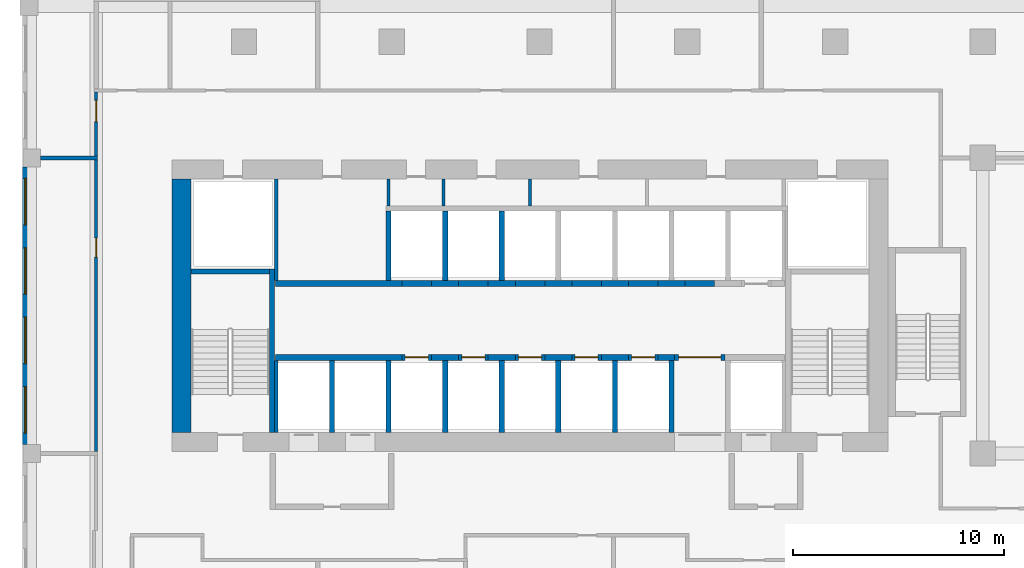
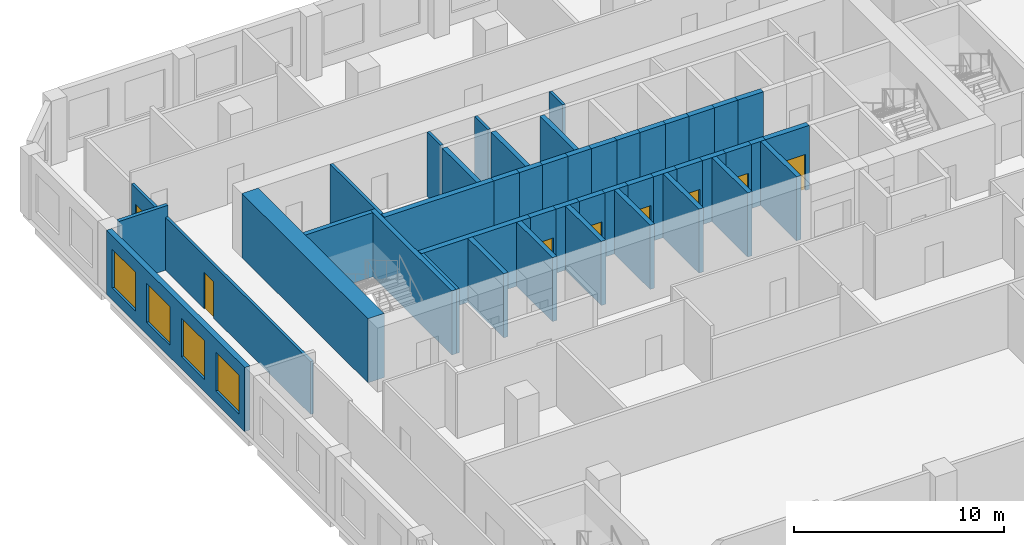
# One storey, part 15 of 27: 46 walls, 8 doors, 4 windows, 12 openings.
"""IFC4 building model written with IfcOpenShell, lengths in metres."""

import ifcopenshell
import ifcopenshell.guid

model = None  # the IFC model being written
_history = None  # IfcOwnerHistory: only IFC2X3 demands one
_inside = {}  # id of a spatial element -> (the spatial element, [elements in it])
_under = {}  # id of a project, library or spatial element -> (it, [spatial elements below it])
_declared = {}  # id of a project -> (the project, [libraries it declares])
_typed = {}  # id of a type object -> (the type object, [elements of that type])
_made_of = {}  # id of a material, layer set ... -> (it, [elements and type objects made of it])


def new_model(schema):
    """Start an empty IFC model of exactly this schema.

    Asked for "IFC4X3", IfcOpenShell would pick the latest addendum, in which some entities
    have other attributes; the version numbers below select the first issue.
    IFC2X3 requires an IfcOwnerHistory on every rooted entity: one is made here for all.
    """
    global model, _history
    if schema == "IFC4X3":
        model = ifcopenshell.file(schema_version=(4, 3, 0, 0))
    else:
        model = ifcopenshell.file(schema=schema)
    _inside.clear()
    _under.clear()
    _declared.clear()
    _typed.clear()
    _made_of.clear()
    _history = None
    if model.schema == "IFC2X3":
        org = make("IfcOrganization", Name="unknown")
        user = make(
            "IfcPersonAndOrganization",
            ThePerson=make("IfcPerson", FamilyName="unknown"),
            TheOrganization=org,
        )
        app = make(
            "IfcApplication",
            ApplicationDeveloper=org,
            Version="unknown",
            ApplicationFullName="unknown",
            ApplicationIdentifier="unknown",
        )
        _history = make(
            "IfcOwnerHistory",
            OwningUser=user,
            OwningApplication=app,
            ChangeAction="ADDED",
            CreationDate=0,
        )
    return model


def make(cls, **values):
    """One entity of the class cls with the attributes given. An attribute that is None is left unset."""
    return model.create_entity(
        cls, **{name: value for name, value in values.items() if value is not None}
    )


def rooted(cls, **values):
    """An entity with a GlobalId (a new one), such as an element, a storey or a relation."""
    return make(cls, GlobalId=ifcopenshell.guid.new(), OwnerHistory=_history, **values)


def si_unit(unit_type, name, prefix=None):
    """IfcSIUnit, for example si_unit("LENGTHUNIT", "METRE", prefix="MILLI")."""
    return make("IfcSIUnit", UnitType=unit_type, Prefix=prefix, Name=name)


def assignment(units):
    """IfcUnitAssignment: the units of a project."""
    return None if units is None else make("IfcUnitAssignment", Units=units)


def point(xyz):
    """IfcCartesianPoint."""
    return None if xyz is None else make("IfcCartesianPoint", Coordinates=xyz)


def direction(xyz):
    """IfcDirection."""
    return None if xyz is None else make("IfcDirection", DirectionRatios=xyz)


def frame(location, z_axis=None, x_axis=None):
    """IfcAxis2Placement3D, a coordinate frame: its origin and axes. An axis left out is left unset."""
    return make(
        "IfcAxis2Placement3D",
        Location=point(location),
        Axis=direction(z_axis),
        RefDirection=direction(x_axis),
    )


def frame_2d(location, x_axis=None):
    """IfcAxis2Placement2D, a coordinate frame in the plane: its origin and x axis."""
    return make(
        "IfcAxis2Placement2D", Location=point(location), RefDirection=direction(x_axis)
    )


def origin():
    """The frame at (0, 0, 0) with its axes left unset."""
    return frame((0.0, 0.0, 0.0))


def place(relative_to, where):
    """IfcLocalPlacement: puts the frame where relative to a parent placement (None: the world)."""
    return make(
        "IfcLocalPlacement", PlacementRelTo=relative_to, RelativePlacement=where
    )


def context(
    kind, dimensions, precision=None, world=None, true_north=None, identifier=None
):
    """IfcGeometricRepresentationContext, for example the 3D "Model" context."""
    return make(
        "IfcGeometricRepresentationContext",
        ContextIdentifier=identifier,
        ContextType=kind,
        CoordinateSpaceDimension=dimensions,
        Precision=precision,
        WorldCoordinateSystem=world,
        TrueNorth=true_north,
    )


def subcontext(parent, identifier, kind, view, scale=None):
    """IfcGeometricRepresentationSubContext, for example "Body" below "Model"."""
    return make(
        "IfcGeometricRepresentationSubContext",
        ContextIdentifier=identifier,
        ContextType=kind,
        ParentContext=parent,
        TargetScale=scale,
        TargetView=view,
    )


def project(units=None, contexts=None):
    """IfcProject with its units and contexts."""
    return rooted(
        "IfcProject",
        Name="project",
        RepresentationContexts=contexts,
        UnitsInContext=assignment(units),
    )


def spatial(cls, under=None, at=None, **own):
    """A site, building, storey or space (cls), placed at a placement, below another one or the project."""
    s = rooted(cls, ObjectPlacement=at, **own)
    if under is not None:
        _under.setdefault(under.id(), (under, []))[1].append(s)
    return s


def profile(cls, at=None, kind="AREA", **sizes):
    """A parametric profile (cls). Its sizes go by their IFC names, for example OverallWidth=200.0."""
    return make(cls, ProfileType=kind, Position=at, **sizes)


def rectangle(**sizes):
    """IfcRectangleProfileDef."""
    return profile("IfcRectangleProfileDef", **sizes)


def extrude(swept, where, along, depth):
    """IfcExtrudedAreaSolid: the profile swept, set in the frame where, extruded along a direction by depth."""
    return make(
        "IfcExtrudedAreaSolid",
        SweptArea=swept,
        Position=where,
        ExtrudedDirection=direction(along),
        Depth=depth,
    )


def shape(context_of_items, identifier, shape_type, items):
    """IfcShapeRepresentation: the items that make up one representation, for example the "Body"."""
    return make(
        "IfcShapeRepresentation",
        ContextOfItems=context_of_items,
        RepresentationIdentifier=identifier,
        RepresentationType=shape_type,
        Items=items,
    )


def source(mapping_origin, context_of_items, identifier, shape_type, items):
    """IfcRepresentationMap: a shape defined once, which mapped items show again and again."""
    return make(
        "IfcRepresentationMap",
        MappingOrigin=mapping_origin,
        MappedRepresentation=shape(context_of_items, identifier, shape_type, items),
    )


def transform(
    local_origin,
    x_axis=None,
    y_axis=None,
    z_axis=None,
    scale=None,
    scale2=None,
    scale3=None,
    uniform=True,
):
    """IfcCartesianTransformationOperator3D, or its non-uniform kind. x_axis, y_axis, z_axis: its Axis1, 2, 3."""
    if uniform:
        return make(
            "IfcCartesianTransformationOperator3D",
            Axis1=direction(x_axis),
            Axis2=direction(y_axis),
            LocalOrigin=point(local_origin),
            Scale=scale,
            Axis3=direction(z_axis),
        )
    return make(
        "IfcCartesianTransformationOperator3DnonUniform",
        Axis1=direction(x_axis),
        Axis2=direction(y_axis),
        LocalOrigin=point(local_origin),
        Scale=scale,
        Axis3=direction(z_axis),
        Scale2=scale2,
        Scale3=scale3,
    )


def mapped(mapping_source, mapping_target):
    """IfcMappedItem: shows the shape of a source again, moved by a transform."""
    return make(
        "IfcMappedItem", MappingSource=mapping_source, MappingTarget=mapping_target
    )


def material(Name=None, Category=None):
    """IfcMaterial."""
    return make("IfcMaterial", Name=Name, Category=Category)


def layer(
    of_material, thickness, ventilated=None, Name=None, Category=None, Priority=None
):
    """IfcMaterialLayer: one layer of a wall or slab, of a material (None: an air gap)."""
    return make(
        "IfcMaterialLayer",
        Material=of_material,
        LayerThickness=thickness,
        IsVentilated=ventilated,
        Name=Name,
        Category=Category,
        Priority=Priority,
    )


def layer_set(layers, Name=None):
    """IfcMaterialLayerSet."""
    return make("IfcMaterialLayerSet", MaterialLayers=layers, LayerSetName=Name)


def made_of(thing, what):
    """Note that an element or type object is made of a material, layer set ...; save() writes the relation."""
    if what is not None:
        _made_of.setdefault(what.id(), (what, []))[1].append(thing)
    return thing


def type_object(cls, material=None, **own):
    """A type object (cls), such as IfcWallType, which elements share."""
    return made_of(rooted(cls, **own), material)


def element(
    cls,
    number,
    at=None,
    inside=None,
    cuts=None,
    type_object=None,
    material=None,
    context=None,
    identifier="Body",
    shape_type=None,
    held_by="IfcProductDefinitionShape",
    body=None,
    shapes=None,
    **own,
):
    """One element of the class cls, such as IfcWall. Its Tag is "e" and its number.

    at: its placement. inside: the storey or other place that contains it. cuts: it is an
    opening in that element (IfcRelVoidsElement). A single representation is given by context,
    identifier, shape_type and body (its items); several are given by shapes. held_by: the class
    of the entity that holds the representations. save() writes the other relations.
    """
    e = rooted(cls, Tag="e%d" % number, ObjectPlacement=at, **own)
    if body is not None:
        shapes = [shape(context, identifier, shape_type, body)]
    if shapes is not None:
        e.Representation = make(held_by, Representations=shapes)
    if inside is not None:
        _inside.setdefault(inside.id(), (inside, []))[1].append(e)
    if cuts is not None:
        rooted(
            "IfcRelVoidsElement", RelatingBuildingElement=cuts, RelatedOpeningElement=e
        )
    if type_object is not None:
        _typed.setdefault(type_object.id(), (type_object, []))[1].append(e)
    return made_of(e, material)


def fill(opening, filler):
    """IfcRelFillsElement: the door or window that sits in an opening."""
    return rooted(
        "IfcRelFillsElement",
        RelatingOpeningElement=opening,
        RelatedBuildingElement=filler,
    )


def aggregate(whole, parts):
    """IfcRelAggregates: a whole, such as a stair, and the parts it consists of."""
    return rooted("IfcRelAggregates", RelatingObject=whole, RelatedObjects=parts)


def save(model, path):
    """Write the relations noted so far, then the file.

    IfcRelAggregates (storeys below a building ...), IfcRelContainedInSpatialStructure (elements
    in a storey), IfcRelDefinesByType, IfcRelAssociatesMaterial and IfcRelDeclares: one each for
    every whole, place, type object, material and project.
    """
    for whole, parts in _under.values():
        aggregate(whole, parts)
    for where, things in _inside.values():
        rooted(
            "IfcRelContainedInSpatialStructure",
            RelatedElements=things,
            RelatingStructure=where,
        )
    for kind, things in _typed.values():
        rooted("IfcRelDefinesByType", RelatedObjects=things, RelatingType=kind)
    for what, things in _made_of.values():
        rooted("IfcRelAssociatesMaterial", RelatedObjects=things, RelatingMaterial=what)
    for by, libraries in _declared.values():
        rooted("IfcRelDeclares", RelatingContext=by, RelatedDefinitions=libraries)
    model.write(path)


model = new_model("IFC4")

# Units and contexts
model_context = context("Model", 3, precision=1e-05, world=origin(), true_north=direction((0.0, 1.0)))
body_context = subcontext(model_context, "Body", "Model", "MODEL_VIEW")
ifc_project = project(units=[si_unit("LENGTHUNIT", "METRE"), si_unit("AREAUNIT", "SQUARE_METRE"), si_unit("VOLUMEUNIT", "CUBIC_METRE"), si_unit("PLANEANGLEUNIT", "RADIAN"), si_unit("MASSUNIT", "GRAM", prefix="KILO")], contexts=[model_context])

# Site, building, storey
site_placement = place(None, origin())
site = spatial("IfcSite", under=ifc_project, at=site_placement, CompositionType="ELEMENT")
building_placement = place(site_placement, origin())
building = spatial("IfcBuilding", under=site, at=building_placement, Name="Kilnfold Tower and Market Hall", CompositionType="ELEMENT")
storey_placement = place(building_placement, frame((0.0, 0.0, 116.60009765625)))
storey = spatial("IfcBuildingStorey", under=building, at=storey_placement, Name="L27", CompositionType="ELEMENT", Elevation=116.60009765625)

# Wall, opening, door
ifc_material_1 = material(Name="Gypsum board on steel studs", Category="steel")
ifc_layer_1 = layer(ifc_material_1, 0.14990234375)
ifc_layer_set_1 = layer_set([ifc_layer_1], Name="Gypsum board on steel studs")
wall_type_1 = type_object("IfcWallType", Name="WALL CORRIDOR 150", PredefinedType="PARTITIONING", material=ifc_layer_set_1)
wall_1_placement = place(storey_placement, frame((-19.5, 22.090087890625, 0.0), z_axis=(0.0, 0.0, 1.0), x_axis=(0.0, 1.0, 0.0)))
wall_1 = element("IfcWall", 1, at=wall_1_placement, inside=storey, type_object=wall_type_1, Name="Partition LY17.36", PredefinedType="PARTITIONING", context=body_context, shape_type="SweptSolid", body=[
    extrude(rectangle(XDim=3.034912109375, YDim=0.14990234375, at=frame_2d((1.517578125, 0.0))), origin(), (0.0, 0.0, 1.0), 3.06982421875),
])
opening_1_placement = place(wall_1_placement, frame((1.631103515625, 0.0, 0.0)))
opening_1 = element("IfcOpeningElement", 2, at=opening_1_placement, cuts=wall_1, Name="Opening D1", PredefinedType="OPENING", context=body_context, shape_type="SweptSolid", body=[
    extrude(rectangle(XDim=1.0, YDim=2.10009765625, at=frame_2d((0.5, 1.050048828125))), frame((0.0, 0.0849609375, 0.0), z_axis=(0.0, -1.0, 0.0), x_axis=(1.0, 0.0, 0.0)), (0.0, 0.0, 1.0), 0.169921875),
])
ifc_material_2 = material(Name="Timber veneer door leaf in steel frame", Category="steel")
door_type_1 = type_object("IfcDoorType", Name="DOOR ENTRY 1000 X2100", OperationType="NOTDEFINED", PredefinedType="DOOR", material=ifc_material_2)
door_1_placement = place(opening_1_placement, origin())
door_1 = element("IfcDoor", 3, at=door_1_placement, inside=storey, type_object=door_type_1, Name="Door D1", OperationType="SINGLE_SWING_LEFT", OverallHeight=2.10009765625, OverallWidth=1.0, PredefinedType="DOOR", context=body_context, shape_type="SweptSolid", body=[
    extrude(rectangle(XDim=1.0, YDim=2.10009765625, at=frame_2d((0.5, 1.050048828125))), frame((0.0, 0.02490234375, 0.0), z_axis=(0.0, -1.0, 0.0), x_axis=(1.0, 0.0, 0.0)), (0.0, 0.0, 1.0), 0.050048828125),
])
fill(opening_1, door_1)

wall_2_placement = place(storey_placement, frame((-19.5, 8.090087890625, 0.0), z_axis=(0.0, 0.0, 1.0), x_axis=(0.0, 1.0, 0.0)))
wall_2 = element("IfcWall", 4, at=wall_2_placement, inside=storey, type_object=wall_type_1, Name="Partition LY17.37", PredefinedType="PARTITIONING", context=body_context, shape_type="SweptSolid", body=[
    extrude(rectangle(XDim=13.81982421875, YDim=0.14990234375, at=frame_2d((6.909912109375, 0.0))), origin(), (0.0, 0.0, 1.0), 3.06982421875),
])
opening_2_placement = place(wall_2_placement, frame((9.214111328125, 0.0, 0.0)))
opening_2 = element("IfcOpeningElement", 5, at=opening_2_placement, cuts=wall_2, Name="Opening D2", PredefinedType="OPENING", context=body_context, shape_type="SweptSolid", body=[
    extrude(rectangle(XDim=0.89990234375, YDim=2.10009765625, at=frame_2d((0.449951171875, 1.050048828125))), frame((0.0, 0.0849609375, 0.0), z_axis=(0.0, -1.0, 0.0), x_axis=(1.0, 0.0, 0.0)), (0.0, 0.0, 1.0), 0.169921875),
])
ifc_material_3 = material(Name="Timber veneer door leaf in steel frame", Category="steel")
door_type_2 = type_object("IfcDoorType", Name="DOOR ROOM 900 X2100", OperationType="NOTDEFINED", PredefinedType="DOOR", material=ifc_material_3)
door_2_placement = place(opening_2_placement, origin())
door_2 = element("IfcDoor", 6, at=door_2_placement, inside=storey, type_object=door_type_2, Name="Door D2", OperationType="SINGLE_SWING_RIGHT", OverallHeight=2.10009765625, OverallWidth=0.89990234375, PredefinedType="DOOR", context=body_context, shape_type="SweptSolid", body=[
    extrude(rectangle(XDim=0.89990234375, YDim=2.10009765625, at=frame_2d((0.449951171875, 1.050048828125))), frame((0.0, 0.02490234375, 0.0), z_axis=(0.0, -1.0, 0.0), x_axis=(1.0, 0.0, 0.0)), (0.0, 0.0, 1.0), 0.050048828125),
])
fill(opening_2, door_2)

# Walls
ifc_material_4 = material(Name="Gypsum board on steel studs", Category="steel")
ifc_layer_2 = layer(ifc_material_4, 0.199951171875)
ifc_layer_set_2 = layer_set([ifc_layer_2], Name="Gypsum board on steel studs")
wall_type_2 = type_object("IfcWallType", Name="WALL PARTY 200", PredefinedType="PARTITIONING", material=ifc_layer_set_2)
wall_3_placement = place(storey_placement, frame((-22.125, 22.0, 0.0), z_axis=(0.0, 0.0, 1.0), x_axis=(1.0, 0.0, 0.0)))
element("IfcWall", 7, at=wall_3_placement, inside=storey, type_object=wall_type_2, Name="Partition LY17.75", PredefinedType="PARTITIONING", context=body_context, shape_type="SweptSolid", body=[
    extrude(rectangle(XDim=2.698974609375, YDim=0.199951171875, at=frame_2d((1.349609375, 0.0))), origin(), (0.0, 0.0, 1.0), 3.719970703125),
])
ifc_material_5 = material(Name="Concrete C70", Category="concrete")
ifc_layer_3 = layer(ifc_material_5, 0.25)
ifc_layer_set_3 = layer_set([ifc_layer_3], Name="Concrete C70")
wall_type_3 = type_object("IfcWallType", Name="CORE WALL 250 C70", PredefinedType="SHEAR", material=ifc_layer_set_3)
shared_shape_1 = source(origin(), body_context, "Body", "SweptSolid", [
    extrude(rectangle(XDim=7.75, YDim=0.25, at=frame_2d((3.875, 0.0))), origin(), (0.0, 0.0, 1.0), 3.719970703125),
])
wall_4_placement = place(storey_placement, frame((-11.175048828125, 9.0, 0.0), z_axis=(0.0, 0.0, 1.0), x_axis=(0.0, 1.0, 0.0)))
element("IfcWall", 8, at=wall_4_placement, inside=storey, type_object=wall_type_3, Name="Stair enclosure ST1", PredefinedType="SHEAR", context=body_context, shape_type="MappedRepresentation", body=[
    mapped(shared_shape_1, transform((0.0, 0.0, 0.0))),
])
shared_shape_2 = source(origin(), body_context, "Body", "SweptSolid", [
    extrude(rectangle(XDim=3.699951171875, YDim=0.25, at=frame_2d((1.85009765625, 0.0))), origin(), (0.0, 0.0, 1.0), 3.719970703125),
])
wall_5_placement = place(storey_placement, frame((-15.0, 16.625, 0.0), z_axis=(0.0, 0.0, 1.0), x_axis=(1.0, 0.0, 0.0)))
element("IfcWall", 9, at=wall_5_placement, inside=storey, type_object=wall_type_3, Name="Stair enclosure ST1", PredefinedType="SHEAR", context=body_context, shape_type="MappedRepresentation", body=[
    mapped(shared_shape_2, transform((0.0, 0.0, 0.0))),
])
ifc_material_6 = material(Name="Concrete C70", Category="concrete")
ifc_layer_4 = layer(ifc_material_6, 0.300048828125)
ifc_layer_set_4 = layer_set([ifc_layer_4], Name="Concrete C70")
wall_type_4 = type_object("IfcWallType", Name="CORE WALL 300 C70", PredefinedType="SHEAR", material=ifc_layer_set_4)
shared_shape_3 = source(origin(), body_context, "Body", "SweptSolid", [
    extrude(rectangle(XDim=6.0, YDim=0.300048828125, at=frame_2d((3.0, 0.0))), origin(), (0.0, 0.0, 1.0), 3.719970703125),
])
for number, where, z_axis, x_axis, name in (
    (10, (-11.010009765625, 12.550048828125, 0.0), (0.0, 0.0, 1.0), (1.0, 0.0, 0.0), "Core spine wall"),
    (11, (-11.010009765625, 16.050048828125, 0.0), (0.0, 0.0, 1.0), (1.0, 0.0, 0.0), "Core spine wall"),
):
    element("IfcWall", number, at=place(storey_placement, frame(where, z_axis=z_axis, x_axis=x_axis)), inside=storey, type_object=wall_type_4, Name=name, PredefinedType="SHEAR", context=body_context, shape_type="MappedRepresentation", body=[
        mapped(shared_shape_3, transform((0.0, 0.0, 0.0))),
    ])
shared_shape_4 = source(origin(), body_context, "Body", "SweptSolid", [
    extrude(rectangle(XDim=1.280029296875, YDim=0.300048828125, at=frame_2d((0.64013671875, 0.0))), origin(), (0.0, 0.0, 1.0), 3.719970703125),
])
for number, where, z_axis, x_axis, name in (
    (12, (-3.610107421875, 12.550048828125, 0.0), (0.0, 0.0, 1.0), (1.0, 0.0, 0.0), "Core spine wall"),
    (13, (-0.929931640625, 12.550048828125, 0.0), (0.0, 0.0, 1.0), (1.0, 0.0, 0.0), "Core spine wall"),
    (14, (1.75, 12.550048828125, 0.0), (0.0, 0.0, 1.0), (1.0, 0.0, 0.0), "Core spine wall"),
    (15, (4.429931640625, 12.550048828125, 0.0), (0.0, 0.0, 1.0), (1.0, 0.0, 0.0), "Core spine wall"),
    (16, (-3.610107421875, 16.050048828125, 0.0), (0.0, 0.0, 1.0), (1.0, 0.0, 0.0), "Core spine wall"),
    (17, (-0.929931640625, 16.050048828125, 0.0), (0.0, 0.0, 1.0), (1.0, 0.0, 0.0), "Core spine wall"),
    (18, (1.75, 16.050048828125, 0.0), (0.0, 0.0, 1.0), (1.0, 0.0, 0.0), "Core spine wall"),
    (19, (4.429931640625, 16.050048828125, 0.0), (0.0, 0.0, 1.0), (1.0, 0.0, 0.0), "Core spine wall"),
):
    element("IfcWall", number, at=place(storey_placement, frame(where, z_axis=z_axis, x_axis=x_axis)), inside=storey, type_object=wall_type_4, Name=name, PredefinedType="SHEAR", context=body_context, shape_type="MappedRepresentation", body=[
        mapped(shared_shape_4, transform((0.0, 0.0, 0.0))),
    ])
shared_shape_5 = source(origin(), body_context, "Body", "SweptSolid", [
    extrude(rectangle(XDim=0.77978515625, YDim=0.300048828125, at=frame_2d((0.389892578125, 0.0))), origin(), (0.0, 0.0, 1.0), 3.719970703125),
])
wall_6_placement = place(storey_placement, frame((7.110107421875, 12.550048828125, 0.0), z_axis=(0.0, 0.0, 1.0), x_axis=(1.0, 0.0, 0.0)))
element("IfcWall", 20, at=wall_6_placement, inside=storey, type_object=wall_type_4, Name="Core spine wall", PredefinedType="SHEAR", context=body_context, shape_type="MappedRepresentation", body=[
    mapped(shared_shape_5, transform((0.0, 0.0, 0.0))),
])
shared_shape_6 = source(origin(), body_context, "Body", "SweptSolid", [
    extrude(rectangle(XDim=1.27978515625, YDim=0.300048828125, at=frame_2d((0.639892578125, 0.0))), origin(), (0.0, 0.0, 1.0), 3.719970703125),
])
wall_7_placement = place(storey_placement, frame((7.110107421875, 16.050048828125, 0.0), z_axis=(0.0, 0.0, 1.0), x_axis=(1.0, 0.0, 0.0)))
element("IfcWall", 21, at=wall_7_placement, inside=storey, type_object=wall_type_4, Name="Core spine wall", PredefinedType="SHEAR", context=body_context, shape_type="MappedRepresentation", body=[
    mapped(shared_shape_6, transform((0.0, 0.0, 0.0))),
])
ifc_material_7 = material(Name="Concrete C70", Category="concrete")
ifc_layer_5 = layer(ifc_material_7, 0.89990234375)
ifc_layer_set_5 = layer_set([ifc_layer_5], Name="Concrete C70")
wall_type_5 = type_object("IfcWallType", Name="CORE WALL 900 C70", PredefinedType="SHEAR", material=ifc_layer_set_5)
shared_shape_7 = source(origin(), body_context, "Body", "SweptSolid", [
    extrude(rectangle(XDim=12.0, YDim=0.89990234375, at=frame_2d((6.0, 0.0))), origin(), (0.0, 0.0, 1.0), 3.719970703125),
])
wall_8_placement = place(storey_placement, frame((-15.449951171875, 9.0, 0.0), z_axis=(0.0, 0.0, 1.0), x_axis=(0.0, 1.0, 0.0)))
element("IfcWall", 22, at=wall_8_placement, inside=storey, type_object=wall_type_5, Name="Core outer wall west", PredefinedType="SHEAR", context=body_context, shape_type="MappedRepresentation", body=[
    mapped(shared_shape_7, transform((0.0, 0.0, 0.0))),
])

# Wall, openings, windows
ifc_material_8 = material(Name="Precast concrete C50/60", Category="concrete")
ifc_layer_6 = layer(ifc_material_8, 0.300048828125)
ifc_layer_set_6 = layer_set([ifc_layer_6], Name="Precast concrete C50/60")
wall_type_6 = type_object("IfcWallType", Name="PRECAST WALL 300", PredefinedType="SOLIDWALL", material=ifc_layer_set_6)
shared_shape_8 = source(origin(), body_context, "Body", "SweptSolid", [
    extrude(rectangle(XDim=13.14990234375, YDim=0.300048828125, at=frame_2d((6.574951171875, 0.0))), origin(), (0.0, 0.0, 1.0), 3.719970703125),
])
wall_9_placement = place(storey_placement, frame((-22.85009765625, 21.574951171875, 0.0), z_axis=(0.0, 0.0, 1.0), x_axis=(0.0, -1.0, 0.0)))
wall_9 = element("IfcWall", 23, at=wall_9_placement, inside=storey, type_object=wall_type_6, Name="External wall L27 W", PredefinedType="SOLIDWALL", context=body_context, shape_type="MappedRepresentation", body=[
    mapped(shared_shape_8, transform((0.0, 0.0, 0.0))),
])
opening_3_placement = place(wall_9_placement, frame((0.543701171875, 0.0, 0.699951171875)))
opening_3 = element("IfcOpeningElement", 24, at=opening_3_placement, cuts=wall_9, Name="Opening W1", PredefinedType="OPENING", context=body_context, shape_type="SweptSolid", body=[
    extrude(rectangle(XDim=2.199951171875, YDim=2.25, at=frame_2d((1.10009765625, 1.125))), frame((0.0, 0.16015625, 0.0), z_axis=(0.0, -1.0, 0.0), x_axis=(1.0, 0.0, 0.0)), (0.0, 0.0, 1.0), 0.320068359375),
])
opening_4_placement = place(wall_9_placement, frame((3.831298828125, 0.0, 0.699951171875)))
opening_4 = element("IfcOpeningElement", 25, at=opening_4_placement, cuts=wall_9, Name="Opening W1", PredefinedType="OPENING", context=body_context, shape_type="SweptSolid", body=[
    extrude(rectangle(XDim=2.199951171875, YDim=2.25, at=frame_2d((1.10009765625, 1.125))), frame((0.0, 0.16015625, 0.0), z_axis=(0.0, -1.0, 0.0), x_axis=(1.0, 0.0, 0.0)), (0.0, 0.0, 1.0), 0.320068359375),
])
opening_5_placement = place(wall_9_placement, frame((7.118896484375, 0.0, 0.699951171875)))
opening_5 = element("IfcOpeningElement", 26, at=opening_5_placement, cuts=wall_9, Name="Opening W1", PredefinedType="OPENING", context=body_context, shape_type="SweptSolid", body=[
    extrude(rectangle(XDim=2.199951171875, YDim=2.25, at=frame_2d((1.10009765625, 1.125))), frame((0.0, 0.16015625, 0.0), z_axis=(0.0, -1.0, 0.0), x_axis=(1.0, 0.0, 0.0)), (0.0, 0.0, 1.0), 0.320068359375),
])
opening_6_placement = place(wall_9_placement, frame((10.40625, 0.0, 0.699951171875)))
opening_6 = element("IfcOpeningElement", 27, at=opening_6_placement, cuts=wall_9, Name="Opening W1", PredefinedType="OPENING", context=body_context, shape_type="SweptSolid", body=[
    extrude(rectangle(XDim=2.199951171875, YDim=2.25, at=frame_2d((1.10009765625, 1.125))), frame((0.0, 0.16015625, 0.0), z_axis=(0.0, -1.0, 0.0), x_axis=(1.0, 0.0, 0.0)), (0.0, 0.0, 1.0), 0.320068359375),
])
ifc_material_9 = material(Name="Aluminium frame and double glazing", Category="aluminium")
window_type = type_object("IfcWindowType", Name="WINDOW W1 2200X2250", PartitioningType="SINGLE_PANEL", PredefinedType="WINDOW", material=ifc_material_9)
window_1_placement = place(opening_3_placement, origin())
window_1 = element("IfcWindow", 28, at=window_1_placement, inside=storey, type_object=window_type, Name="Window W1 L27 W-1", OverallHeight=2.25, OverallWidth=2.199951171875, PartitioningType="SINGLE_PANEL", PredefinedType="WINDOW", context=body_context, shape_type="SweptSolid", body=[
    extrude(rectangle(XDim=2.199951171875, YDim=2.25, at=frame_2d((1.10009765625, 1.125))), frame((0.0, 0.030029296875, 0.0), z_axis=(0.0, -1.0, 0.0), x_axis=(1.0, 0.0, 0.0)), (0.0, 0.0, 1.0), 0.06005859375),
])
fill(opening_3, window_1)
window_2_placement = place(opening_4_placement, origin())
window_2 = element("IfcWindow", 29, at=window_2_placement, inside=storey, type_object=window_type, Name="Window W1 L27 W-2", OverallHeight=2.25, OverallWidth=2.199951171875, PartitioningType="SINGLE_PANEL", PredefinedType="WINDOW", context=body_context, shape_type="SweptSolid", body=[
    extrude(rectangle(XDim=2.199951171875, YDim=2.25, at=frame_2d((1.10009765625, 1.125))), frame((0.0, 0.030029296875, 0.0), z_axis=(0.0, -1.0, 0.0), x_axis=(1.0, 0.0, 0.0)), (0.0, 0.0, 1.0), 0.06005859375),
])
fill(opening_4, window_2)
window_3_placement = place(opening_5_placement, origin())
window_3 = element("IfcWindow", 30, at=window_3_placement, inside=storey, type_object=window_type, Name="Window W1 L27 W-3", OverallHeight=2.25, OverallWidth=2.199951171875, PartitioningType="SINGLE_PANEL", PredefinedType="WINDOW", context=body_context, shape_type="SweptSolid", body=[
    extrude(rectangle(XDim=2.199951171875, YDim=2.25, at=frame_2d((1.10009765625, 1.125))), frame((0.0, 0.030029296875, 0.0), z_axis=(0.0, -1.0, 0.0), x_axis=(1.0, 0.0, 0.0)), (0.0, 0.0, 1.0), 0.06005859375),
])
fill(opening_5, window_3)
window_4_placement = place(opening_6_placement, origin())
window_4 = element("IfcWindow", 31, at=window_4_placement, inside=storey, type_object=window_type, Name="Window W1 L27 W-4", OverallHeight=2.25, OverallWidth=2.199951171875, PartitioningType="SINGLE_PANEL", PredefinedType="WINDOW", context=body_context, shape_type="SweptSolid", body=[
    extrude(rectangle(XDim=2.199951171875, YDim=2.25, at=frame_2d((1.10009765625, 1.125))), frame((0.0, 0.030029296875, 0.0), z_axis=(0.0, -1.0, 0.0), x_axis=(1.0, 0.0, 0.0)), (0.0, 0.0, 1.0), 0.06005859375),
])
fill(opening_6, window_4)

# Wall, opening, door
ifc_material_10 = material(Name="Gypsum shaft wall system")
ifc_layer_7 = layer(ifc_material_10, 0.300048828125)
ifc_layer_set_7 = layer_set([ifc_layer_7], Name="Gypsum shaft wall system")
wall_type_7 = type_object("IfcWallType", Name="SHAFT WALL 300", PredefinedType="PARTITIONING", material=ifc_layer_set_7)
shared_shape_9 = source(origin(), body_context, "Body", "SweptSolid", [
    extrude(rectangle(XDim=1.39990234375, YDim=0.300048828125, at=frame_2d((0.699951171875, 0.0))), origin(), (0.0, 0.0, 1.0), 3.719970703125),
])
wall_10_placement = place(storey_placement, frame((-5.010009765625, 12.550048828125, 0.0), z_axis=(0.0, 0.0, 1.0), x_axis=(1.0, 0.0, 0.0)))
wall_10 = element("IfcWall", 32, at=wall_10_placement, inside=storey, type_object=wall_type_7, Name="Lift shaft front wall", PredefinedType="PARTITIONING", context=body_context, shape_type="MappedRepresentation", body=[
    mapped(shared_shape_9, transform((0.0, 0.0, 0.0))),
])
opening_7_placement = place(wall_10_placement, frame((0.14990234375, 0.0, 0.0)))
opening_7 = element("IfcOpeningElement", 33, at=opening_7_placement, cuts=wall_10, Name="Opening LD2", PredefinedType="OPENING", context=body_context, shape_type="SweptSolid", body=[
    extrude(rectangle(XDim=1.10009765625, YDim=2.10009765625, at=frame_2d((0.550048828125, 1.050048828125))), frame((0.0, 0.16015625, 0.0), z_axis=(0.0, -1.0, 0.0), x_axis=(1.0, 0.0, 0.0)), (0.0, 0.0, 1.0), 0.320068359375),
])
ifc_material_11 = material(Name="Steel door set with fire-resisting leaf", Category="steel")
door_type_3 = type_object("IfcDoorType", Name="LANDING DOOR 1100X2100", OperationType="NOTDEFINED", PredefinedType="DOOR", material=ifc_material_11)
door_3_placement = place(opening_7_placement, origin())
door_3 = element("IfcDoor", 34, at=door_3_placement, inside=storey, type_object=door_type_3, Name="Landing door LR1", OperationType="DOUBLE_DOOR_SLIDING", OverallHeight=2.10009765625, OverallWidth=1.10009765625, PredefinedType="DOOR", context=body_context, shape_type="SweptSolid", body=[
    extrude(rectangle(XDim=1.10009765625, YDim=2.10009765625, at=frame_2d((0.550048828125, 1.050048828125))), frame((0.0, 0.02490234375, 0.0), z_axis=(0.0, -1.0, 0.0), x_axis=(1.0, 0.0, 0.0)), (0.0, 0.0, 1.0), 0.050048828125),
])
fill(opening_7, door_3)

wall_11_placement = place(storey_placement, frame((0.35009765625, 12.550048828125, 0.0), z_axis=(0.0, 0.0, 1.0), x_axis=(1.0, 0.0, 0.0)))
wall_11 = element("IfcWall", 35, at=wall_11_placement, inside=storey, type_object=wall_type_7, Name="Lift shaft front wall", PredefinedType="PARTITIONING", context=body_context, shape_type="MappedRepresentation", body=[
    mapped(shared_shape_9, transform((0.0, 0.0, 0.0))),
])
opening_8_placement = place(wall_11_placement, frame((0.14990234375, 0.0, 0.0)))
opening_8 = element("IfcOpeningElement", 36, at=opening_8_placement, cuts=wall_11, Name="Opening LD2", PredefinedType="OPENING", context=body_context, shape_type="SweptSolid", body=[
    extrude(rectangle(XDim=1.10009765625, YDim=2.10009765625, at=frame_2d((0.550048828125, 1.050048828125))), frame((0.0, 0.16015625, 0.0), z_axis=(0.0, -1.0, 0.0), x_axis=(1.0, 0.0, 0.0)), (0.0, 0.0, 1.0), 0.320068359375),
])
door_4_placement = place(opening_8_placement, origin())
door_4 = element("IfcDoor", 37, at=door_4_placement, inside=storey, type_object=door_type_3, Name="Landing door LR3", OperationType="DOUBLE_DOOR_SLIDING", OverallHeight=2.10009765625, OverallWidth=1.10009765625, PredefinedType="DOOR", context=body_context, shape_type="SweptSolid", body=[
    extrude(rectangle(XDim=1.10009765625, YDim=2.10009765625, at=frame_2d((0.550048828125, 1.050048828125))), frame((0.0, 0.02490234375, 0.0), z_axis=(0.0, -1.0, 0.0), x_axis=(1.0, 0.0, 0.0)), (0.0, 0.0, 1.0), 0.050048828125),
])
fill(opening_8, door_4)

wall_12_placement = place(storey_placement, frame((3.030029296875, 12.550048828125, 0.0), z_axis=(0.0, 0.0, 1.0), x_axis=(1.0, 0.0, 0.0)))
wall_12 = element("IfcWall", 38, at=wall_12_placement, inside=storey, type_object=wall_type_7, Name="Lift shaft front wall", PredefinedType="PARTITIONING", context=body_context, shape_type="MappedRepresentation", body=[
    mapped(shared_shape_9, transform((0.0, 0.0, 0.0))),
])
opening_9_placement = place(wall_12_placement, frame((0.14990234375, 0.0, 0.0)))
opening_9 = element("IfcOpeningElement", 39, at=opening_9_placement, cuts=wall_12, Name="Opening LD2", PredefinedType="OPENING", context=body_context, shape_type="SweptSolid", body=[
    extrude(rectangle(XDim=1.10009765625, YDim=2.10009765625, at=frame_2d((0.550048828125, 1.050048828125))), frame((0.0, 0.16015625, 0.0), z_axis=(0.0, -1.0, 0.0), x_axis=(1.0, 0.0, 0.0)), (0.0, 0.0, 1.0), 0.320068359375),
])
door_5_placement = place(opening_9_placement, origin())
door_5 = element("IfcDoor", 40, at=door_5_placement, inside=storey, type_object=door_type_3, Name="Landing door LR4", OperationType="DOUBLE_DOOR_SLIDING", OverallHeight=2.10009765625, OverallWidth=1.10009765625, PredefinedType="DOOR", context=body_context, shape_type="SweptSolid", body=[
    extrude(rectangle(XDim=1.10009765625, YDim=2.10009765625, at=frame_2d((0.550048828125, 1.050048828125))), frame((0.0, 0.02490234375, 0.0), z_axis=(0.0, -1.0, 0.0), x_axis=(1.0, 0.0, 0.0)), (0.0, 0.0, 1.0), 0.050048828125),
])
fill(opening_9, door_5)

# Walls
for number, where, z_axis, x_axis, name in (
    (41, (-5.010009765625, 16.050048828125, 0.0), (0.0, 0.0, 1.0), (1.0, 0.0, 0.0), "Lift shaft front wall"),
    (42, (0.35009765625, 16.050048828125, 0.0), (0.0, 0.0, 1.0), (1.0, 0.0, 0.0), "Lift shaft front wall"),
    (43, (3.030029296875, 16.050048828125, 0.0), (0.0, 0.0, 1.0), (1.0, 0.0, 0.0), "Lift shaft front wall"),
):
    element("IfcWall", number, at=place(storey_placement, frame(where, z_axis=z_axis, x_axis=x_axis)), inside=storey, type_object=wall_type_7, Name=name, PredefinedType="PARTITIONING", context=body_context, shape_type="MappedRepresentation", body=[
        mapped(shared_shape_9, transform((0.0, 0.0, 0.0))),
    ])

# Wall, opening, door
shared_shape_10 = source(origin(), body_context, "Body", "SweptSolid", [
    extrude(rectangle(XDim=1.400146484375, YDim=0.300048828125, at=frame_2d((0.7001953125, 0.0))), origin(), (0.0, 0.0, 1.0), 3.719970703125),
])
wall_13_placement = place(storey_placement, frame((-2.330078125, 12.550048828125, 0.0), z_axis=(0.0, 0.0, 1.0), x_axis=(1.0, 0.0, 0.0)))
wall_13 = element("IfcWall", 44, at=wall_13_placement, inside=storey, type_object=wall_type_7, Name="Lift shaft front wall", PredefinedType="PARTITIONING", context=body_context, shape_type="MappedRepresentation", body=[
    mapped(shared_shape_10, transform((0.0, 0.0, 0.0))),
])
opening_10_placement = place(wall_13_placement, frame((0.14990234375, 0.0, 0.0)))
opening_10 = element("IfcOpeningElement", 45, at=opening_10_placement, cuts=wall_13, Name="Opening LD2", PredefinedType="OPENING", context=body_context, shape_type="SweptSolid", body=[
    extrude(rectangle(XDim=1.10009765625, YDim=2.10009765625, at=frame_2d((0.550048828125, 1.050048828125))), frame((0.0, 0.16015625, 0.0), z_axis=(0.0, -1.0, 0.0), x_axis=(1.0, 0.0, 0.0)), (0.0, 0.0, 1.0), 0.320068359375),
])
door_6_placement = place(opening_10_placement, origin())
door_6 = element("IfcDoor", 46, at=door_6_placement, inside=storey, type_object=door_type_3, Name="Landing door LR2", OperationType="DOUBLE_DOOR_SLIDING", OverallHeight=2.10009765625, OverallWidth=1.10009765625, PredefinedType="DOOR", context=body_context, shape_type="SweptSolid", body=[
    extrude(rectangle(XDim=1.10009765625, YDim=2.10009765625, at=frame_2d((0.550048828125, 1.050048828125))), frame((0.0, 0.02490234375, 0.0), z_axis=(0.0, -1.0, 0.0), x_axis=(1.0, 0.0, 0.0)), (0.0, 0.0, 1.0), 0.050048828125),
])
fill(opening_10, door_6)

wall_14_placement = place(storey_placement, frame((5.7099609375, 12.550048828125, 0.0), z_axis=(0.0, 0.0, 1.0), x_axis=(1.0, 0.0, 0.0)))
wall_14 = element("IfcWall", 47, at=wall_14_placement, inside=storey, type_object=wall_type_7, Name="Lift shaft front wall", PredefinedType="PARTITIONING", context=body_context, shape_type="MappedRepresentation", body=[
    mapped(shared_shape_10, transform((0.0, 0.0, 0.0))),
])
opening_11_placement = place(wall_14_placement, frame((0.14990234375, 0.0, 0.0)))
opening_11 = element("IfcOpeningElement", 48, at=opening_11_placement, cuts=wall_14, Name="Opening LD2", PredefinedType="OPENING", context=body_context, shape_type="SweptSolid", body=[
    extrude(rectangle(XDim=1.10009765625, YDim=2.10009765625, at=frame_2d((0.550048828125, 1.050048828125))), frame((0.0, 0.16015625, 0.0), z_axis=(0.0, -1.0, 0.0), x_axis=(1.0, 0.0, 0.0)), (0.0, 0.0, 1.0), 0.320068359375),
])
door_7_placement = place(opening_11_placement, origin())
door_7 = element("IfcDoor", 49, at=door_7_placement, inside=storey, type_object=door_type_3, Name="Landing door LR5", OperationType="DOUBLE_DOOR_SLIDING", OverallHeight=2.10009765625, OverallWidth=1.10009765625, PredefinedType="DOOR", context=body_context, shape_type="SweptSolid", body=[
    extrude(rectangle(XDim=1.10009765625, YDim=2.10009765625, at=frame_2d((0.550048828125, 1.050048828125))), frame((0.0, 0.02490234375, 0.0), z_axis=(0.0, -1.0, 0.0), x_axis=(1.0, 0.0, 0.0)), (0.0, 0.0, 1.0), 0.050048828125),
])
fill(opening_11, door_7)

# Walls
for number, where, z_axis, x_axis, name in (
    (50, (-2.330078125, 16.050048828125, 0.0), (0.0, 0.0, 1.0), (1.0, 0.0, 0.0), "Lift shaft front wall"),
    (51, (5.7099609375, 16.050048828125, 0.0), (0.0, 0.0, 1.0), (1.0, 0.0, 0.0), "Lift shaft front wall"),
    (52, (8.389892578125, 16.050048828125, 0.0), (0.0, 0.0, 1.0), (1.0, 0.0, 0.0), "Lift shaft front wall"),
):
    element("IfcWall", number, at=place(storey_placement, frame(where, z_axis=z_axis, x_axis=x_axis)), inside=storey, type_object=wall_type_7, Name=name, PredefinedType="PARTITIONING", context=body_context, shape_type="MappedRepresentation", body=[
        mapped(shared_shape_10, transform((0.0, 0.0, 0.0))),
    ])

# Wall, opening, door
shared_shape_11 = source(origin(), body_context, "Body", "SweptSolid", [
    extrude(rectangle(XDim=2.400146484375, YDim=0.300048828125, at=frame_2d((1.2001953125, 0.0))), origin(), (0.0, 0.0, 1.0), 3.719970703125),
])
wall_15_placement = place(storey_placement, frame((7.889892578125, 12.550048828125, 0.0), z_axis=(0.0, 0.0, 1.0), x_axis=(1.0, 0.0, 0.0)))
wall_15 = element("IfcWall", 53, at=wall_15_placement, inside=storey, type_object=wall_type_7, Name="Lift shaft front wall", PredefinedType="PARTITIONING", context=body_context, shape_type="MappedRepresentation", body=[
    mapped(shared_shape_11, transform((0.0, 0.0, 0.0))),
])
opening_12_placement = place(wall_15_placement, frame((0.199951171875, 0.0, 0.0)))
opening_12 = element("IfcOpeningElement", 54, at=opening_12_placement, cuts=wall_15, Name="Opening VD2", PredefinedType="OPENING", context=body_context, shape_type="SweptSolid", body=[
    extrude(rectangle(XDim=2.0, YDim=2.10009765625, at=frame_2d((1.0, 1.050048828125))), frame((0.0, 0.16015625, 0.0), z_axis=(0.0, -1.0, 0.0), x_axis=(1.0, 0.0, 0.0)), (0.0, 0.0, 1.0), 0.320068359375),
])
ifc_material_12 = material(Name="Steel door set with fire-resisting leaf", Category="steel")
door_type_4 = type_object("IfcDoorType", Name="LIFT LOBBY ENTRANCE DOOR 2000X2100", OperationType="NOTDEFINED", PredefinedType="DOOR", material=ifc_material_12)
door_8_placement = place(opening_12_placement, origin())
door_8 = element("IfcDoor", 55, at=door_8_placement, inside=storey, type_object=door_type_4, Name="Lift lobby entrance door", OperationType="DOUBLE_DOOR_SINGLE_SWING", OverallHeight=2.10009765625, OverallWidth=2.0, PredefinedType="DOOR", context=body_context, shape_type="SweptSolid", body=[
    extrude(rectangle(XDim=2.0, YDim=2.10009765625, at=frame_2d((1.0, 1.050048828125))), frame((0.0, 0.02490234375, 0.0), z_axis=(0.0, -1.0, 0.0), x_axis=(1.0, 0.0, 0.0)), (0.0, 0.0, 1.0), 0.050048828125),
])
fill(opening_12, door_8)

# Walls
ifc_material_13 = material(Name="Gypsum shaft wall system")
ifc_layer_8 = layer(ifc_material_13, 0.25)
ifc_layer_set_8 = layer_set([ifc_layer_8], Name="Gypsum shaft wall system")
wall_type_8 = type_object("IfcWallType", Name="SHAFT WALL 250", PredefinedType="PARTITIONING", material=ifc_layer_set_8)
shared_shape_12 = source(origin(), body_context, "Body", "SweptSolid", [
    extrude(rectangle(XDim=3.275146484375, YDim=0.25, at=frame_2d((1.6376953125, 0.0))), origin(), (0.0, 0.0, 1.0), 3.719970703125),
])
for number, where, z_axis, x_axis, name in (
    (56, (-0.2900390625, 16.199951171875, 0.0), (0.0, 0.0, 1.0), (0.0, 1.0, 0.0), "Lift shaft wall"),
    (57, (-2.969970703125, 16.199951171875, 0.0), (0.0, 0.0, 1.0), (0.0, 1.0, 0.0), "Lift shaft wall"),
    (58, (-5.64990234375, 16.199951171875, 0.0), (0.0, 0.0, 1.0), (0.0, 1.0, 0.0), "Lift shaft wall"),
):
    element("IfcWall", number, at=place(storey_placement, frame(where, z_axis=z_axis, x_axis=x_axis)), inside=storey, type_object=wall_type_8, Name=name, PredefinedType="PARTITIONING", context=body_context, shape_type="MappedRepresentation", body=[
        mapped(shared_shape_12, transform((0.0, 0.0, 0.0))),
    ])
shared_shape_13 = source(origin(), body_context, "Body", "SweptSolid", [
    extrude(rectangle(XDim=3.39990234375, YDim=0.25, at=frame_2d((1.699951171875, 0.0))), origin(), (0.0, 0.0, 1.0), 3.719970703125),
])
for number, where, z_axis, x_axis, name in (
    (59, (2.389892578125, 9.0, 0.0), (0.0, 0.0, 1.0), (0.0, 1.0, 0.0), "Lift shaft wall"),
    (60, (5.070068359375, 9.0, 0.0), (0.0, 0.0, 1.0), (0.0, 1.0, 0.0), "Lift shaft wall"),
    (61, (7.75, 9.0, 0.0), (0.0, 0.0, 1.0), (0.0, 1.0, 0.0), "Lift shaft wall"),
    (62, (-0.2900390625, 9.0, 0.0), (0.0, 0.0, 1.0), (0.0, 1.0, 0.0), "Lift shaft wall"),
    (63, (-2.969970703125, 9.0, 0.0), (0.0, 0.0, 1.0), (0.0, 1.0, 0.0), "Lift shaft wall"),
    (64, (-5.64990234375, 9.0, 0.0), (0.0, 0.0, 1.0), (0.0, 1.0, 0.0), "Lift shaft wall"),
    (65, (-8.330078125, 9.0, 0.0), (0.0, 0.0, 1.0), (0.0, 1.0, 0.0), "Lift shaft wall"),
):
    element("IfcWall", number, at=place(storey_placement, frame(where, z_axis=z_axis, x_axis=x_axis)), inside=storey, type_object=wall_type_8, Name=name, PredefinedType="PARTITIONING", context=body_context, shape_type="MappedRepresentation", body=[
        mapped(shared_shape_13, transform((0.0, 0.0, 0.0))),
    ])
ifc_material_14 = material(Name="Gypsum shaft wall system")
ifc_layer_9 = layer(ifc_material_14, 0.1650390625)
ifc_layer_set_9 = layer_set([ifc_layer_9], Name="Gypsum shaft wall system")
wall_type_9 = type_object("IfcWallType", Name="SHAFT WALL 165", PredefinedType="PARTITIONING", material=ifc_layer_set_9)
shared_shape_14 = source(origin(), body_context, "Body", "SweptSolid", [
    extrude(rectangle(XDim=3.39990234375, YDim=0.1650390625, at=frame_2d((1.699951171875, 0.0))), origin(), (0.0, 0.0, 1.0), 3.719970703125),
])
wall_16_placement = place(storey_placement, frame((-10.967529296875, 9.0, 0.0), z_axis=(0.0, 0.0, 1.0), x_axis=(0.0, 1.0, 0.0)))
element("IfcWall", 66, at=wall_16_placement, inside=storey, type_object=wall_type_9, Name="Lift shaft wall", PredefinedType="PARTITIONING", context=body_context, shape_type="MappedRepresentation", body=[
    mapped(shared_shape_14, transform((0.0, 0.0, 0.0))),
])
ifc_material_15 = material(Name="Gypsum shaft wall system")
ifc_layer_10 = layer(ifc_material_15, 0.14990234375)
ifc_layer_set_10 = layer_set([ifc_layer_10], Name="Gypsum shaft wall system")
wall_type_10 = type_object("IfcWallType", Name="ROOM WALL 150", PredefinedType="PARTITIONING", material=ifc_layer_set_10)
shared_shape_15 = source(origin(), body_context, "Body", "SweptSolid", [
    extrude(rectangle(XDim=1.27490234375, YDim=0.14990234375, at=frame_2d((0.637451171875, 0.0))), origin(), (0.0, 0.0, 1.0), 3.719970703125),
])
for number, where, z_axis, x_axis, name in (
    (67, (-5.64990234375, 19.72509765625, 0.0), (0.0, 0.0, 1.0), (0.0, 1.0, 0.0), "Core room wall"),
    (68, (-3.05029296875, 19.72509765625, 0.0), (0.0, 0.0, 1.0), (0.0, 1.0, 0.0), "Core room wall"),
    (69, (1.050048828125, 19.72509765625, 0.0), (0.0, 0.0, 1.0), (0.0, 1.0, 0.0), "Core room wall"),
):
    element("IfcWall", number, at=place(storey_placement, frame(where, z_axis=z_axis, x_axis=x_axis)), inside=storey, type_object=wall_type_10, Name=name, PredefinedType="PARTITIONING", context=body_context, shape_type="MappedRepresentation", body=[
        mapped(shared_shape_15, transform((0.0, 0.0, 0.0))),
    ])
shared_shape_16 = source(origin(), body_context, "Body", "SweptSolid", [
    extrude(rectangle(XDim=4.800048828125, YDim=0.1650390625, at=frame_2d((2.39990234375, 0.0))), origin(), (0.0, 0.0, 1.0), 3.719970703125),
])
wall_17_placement = place(storey_placement, frame((-10.967529296875, 16.199951171875, 0.0), z_axis=(0.0, 0.0, 1.0), x_axis=(0.0, 1.0, 0.0)))
element("IfcWall", 70, at=wall_17_placement, inside=storey, type_object=wall_type_9, Name="Lift shaft wall", PredefinedType="PARTITIONING", context=body_context, shape_type="MappedRepresentation", body=[
    mapped(shared_shape_16, transform((0.0, 0.0, 0.0))),
])

save(model, "model.ifc")
